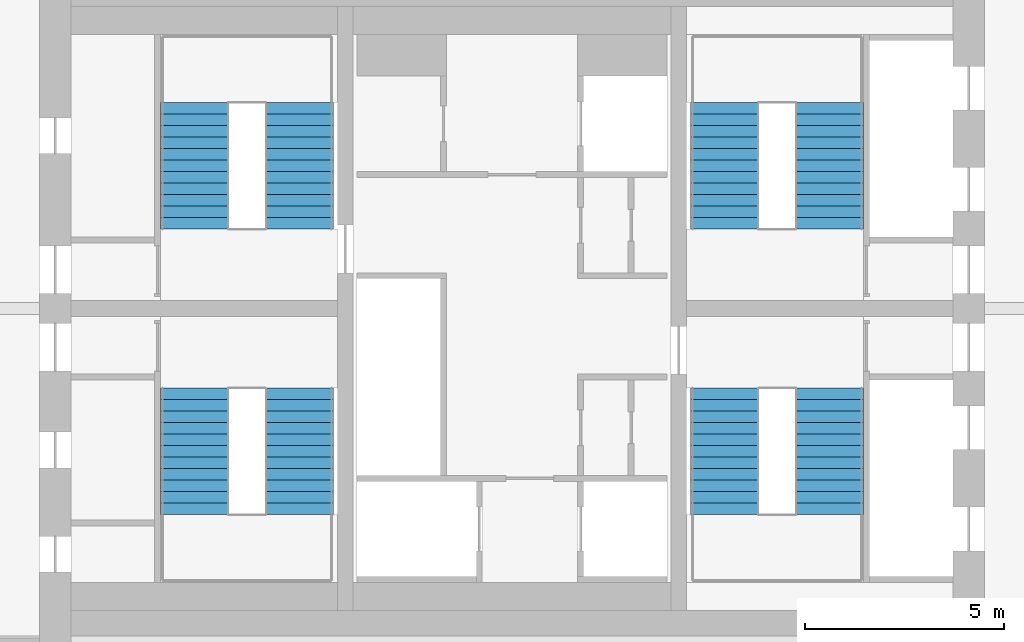
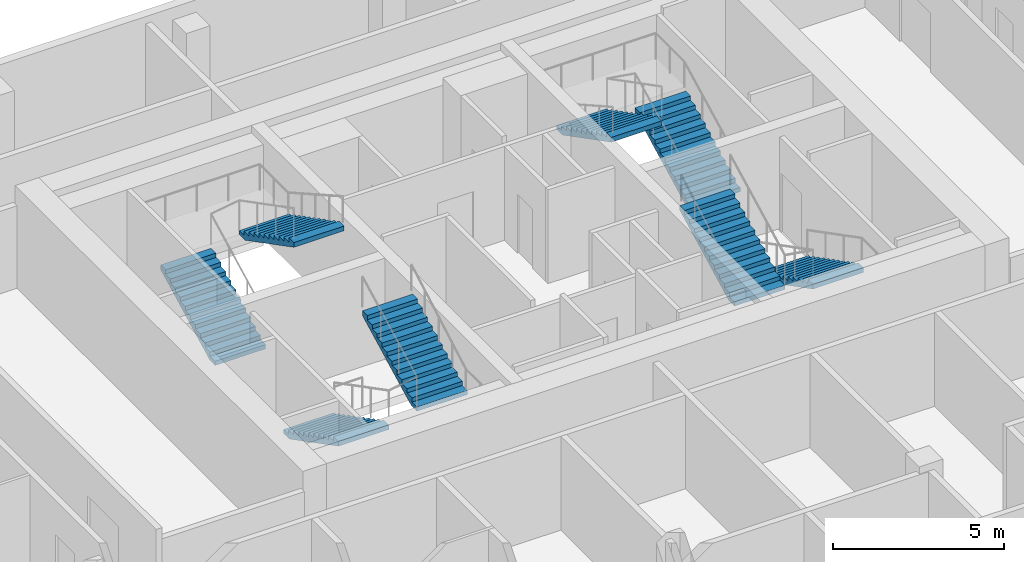
# One storey, part 21 of 22: 8 stair flights, 4 elements without a shape of their own.
"""IFC4 building model written with IfcOpenShell, lengths in metres."""

import ifcopenshell
import ifcopenshell.guid

model = None  # the IFC model being written
_history = None  # IfcOwnerHistory: only IFC2X3 demands one
_inside = {}  # id of a spatial element -> (the spatial element, [elements in it])
_under = {}  # id of a project, library or spatial element -> (it, [spatial elements below it])
_declared = {}  # id of a project -> (the project, [libraries it declares])
_typed = {}  # id of a type object -> (the type object, [elements of that type])
_made_of = {}  # id of a material, layer set ... -> (it, [elements and type objects made of it])


def new_model(schema):
    """Start an empty IFC model of exactly this schema.

    Asked for "IFC4X3", IfcOpenShell would pick the latest addendum, in which some entities
    have other attributes; the version numbers below select the first issue.
    IFC2X3 requires an IfcOwnerHistory on every rooted entity: one is made here for all.
    """
    global model, _history
    if schema == "IFC4X3":
        model = ifcopenshell.file(schema_version=(4, 3, 0, 0))
    else:
        model = ifcopenshell.file(schema=schema)
    _inside.clear()
    _under.clear()
    _declared.clear()
    _typed.clear()
    _made_of.clear()
    _history = None
    if model.schema == "IFC2X3":
        org = make("IfcOrganization", Name="unknown")
        user = make(
            "IfcPersonAndOrganization",
            ThePerson=make("IfcPerson", FamilyName="unknown"),
            TheOrganization=org,
        )
        app = make(
            "IfcApplication",
            ApplicationDeveloper=org,
            Version="unknown",
            ApplicationFullName="unknown",
            ApplicationIdentifier="unknown",
        )
        _history = make(
            "IfcOwnerHistory",
            OwningUser=user,
            OwningApplication=app,
            ChangeAction="ADDED",
            CreationDate=0,
        )
    return model


def make(cls, **values):
    """One entity of the class cls with the attributes given. An attribute that is None is left unset."""
    return model.create_entity(
        cls, **{name: value for name, value in values.items() if value is not None}
    )


def rooted(cls, **values):
    """An entity with a GlobalId (a new one), such as an element, a storey or a relation."""
    return make(cls, GlobalId=ifcopenshell.guid.new(), OwnerHistory=_history, **values)


def si_unit(unit_type, name, prefix=None):
    """IfcSIUnit, for example si_unit("LENGTHUNIT", "METRE", prefix="MILLI")."""
    return make("IfcSIUnit", UnitType=unit_type, Prefix=prefix, Name=name)


def assignment(units):
    """IfcUnitAssignment: the units of a project."""
    return None if units is None else make("IfcUnitAssignment", Units=units)


def point(xyz):
    """IfcCartesianPoint."""
    return None if xyz is None else make("IfcCartesianPoint", Coordinates=xyz)


def direction(xyz):
    """IfcDirection."""
    return None if xyz is None else make("IfcDirection", DirectionRatios=xyz)


def frame(location, z_axis=None, x_axis=None):
    """IfcAxis2Placement3D, a coordinate frame: its origin and axes. An axis left out is left unset."""
    return make(
        "IfcAxis2Placement3D",
        Location=point(location),
        Axis=direction(z_axis),
        RefDirection=direction(x_axis),
    )


def origin():
    """The frame at (0, 0, 0) with its axes left unset."""
    return frame((0.0, 0.0, 0.0))


def place(relative_to, where):
    """IfcLocalPlacement: puts the frame where relative to a parent placement (None: the world)."""
    return make(
        "IfcLocalPlacement", PlacementRelTo=relative_to, RelativePlacement=where
    )


def context(
    kind, dimensions, precision=None, world=None, true_north=None, identifier=None
):
    """IfcGeometricRepresentationContext, for example the 3D "Model" context."""
    return make(
        "IfcGeometricRepresentationContext",
        ContextIdentifier=identifier,
        ContextType=kind,
        CoordinateSpaceDimension=dimensions,
        Precision=precision,
        WorldCoordinateSystem=world,
        TrueNorth=true_north,
    )


def subcontext(parent, identifier, kind, view, scale=None):
    """IfcGeometricRepresentationSubContext, for example "Body" below "Model"."""
    return make(
        "IfcGeometricRepresentationSubContext",
        ContextIdentifier=identifier,
        ContextType=kind,
        ParentContext=parent,
        TargetScale=scale,
        TargetView=view,
    )


def project(units=None, contexts=None):
    """IfcProject with its units and contexts."""
    return rooted(
        "IfcProject",
        Name="project",
        RepresentationContexts=contexts,
        UnitsInContext=assignment(units),
    )


def spatial(cls, under=None, at=None, **own):
    """A site, building, storey or space (cls), placed at a placement, below another one or the project."""
    s = rooted(cls, ObjectPlacement=at, **own)
    if under is not None:
        _under.setdefault(under.id(), (under, []))[1].append(s)
    return s


def polyline(points):
    """IfcPolyline through the points."""
    return make("IfcPolyline", Points=[point(p) for p in points])


def outline(outer, holes=None, kind="AREA"):
    """IfcArbitraryClosedProfileDef: a profile drawn as a closed curve; with holes, ...WithVoids."""
    if holes is None:
        return make("IfcArbitraryClosedProfileDef", ProfileType=kind, OuterCurve=outer)
    return make(
        "IfcArbitraryProfileDefWithVoids",
        ProfileType=kind,
        OuterCurve=outer,
        InnerCurves=holes,
    )


def extrude(swept, where, along, depth):
    """IfcExtrudedAreaSolid: the profile swept, set in the frame where, extruded along a direction by depth."""
    return make(
        "IfcExtrudedAreaSolid",
        SweptArea=swept,
        Position=where,
        ExtrudedDirection=direction(along),
        Depth=depth,
    )


def shape(context_of_items, identifier, shape_type, items):
    """IfcShapeRepresentation: the items that make up one representation, for example the "Body"."""
    return make(
        "IfcShapeRepresentation",
        ContextOfItems=context_of_items,
        RepresentationIdentifier=identifier,
        RepresentationType=shape_type,
        Items=items,
    )


def material(Name=None, Category=None):
    """IfcMaterial."""
    return make("IfcMaterial", Name=Name, Category=Category)


def made_of(thing, what):
    """Note that an element or type object is made of a material, layer set ...; save() writes the relation."""
    if what is not None:
        _made_of.setdefault(what.id(), (what, []))[1].append(thing)
    return thing


def type_object(cls, material=None, **own):
    """A type object (cls), such as IfcWallType, which elements share."""
    return made_of(rooted(cls, **own), material)


def element(
    cls,
    number,
    at=None,
    inside=None,
    cuts=None,
    type_object=None,
    material=None,
    context=None,
    identifier="Body",
    shape_type=None,
    held_by="IfcProductDefinitionShape",
    body=None,
    shapes=None,
    **own,
):
    """One element of the class cls, such as IfcWall. Its Tag is "e" and its number.

    at: its placement. inside: the storey or other place that contains it. cuts: it is an
    opening in that element (IfcRelVoidsElement). A single representation is given by context,
    identifier, shape_type and body (its items); several are given by shapes. held_by: the class
    of the entity that holds the representations. save() writes the other relations.
    """
    e = rooted(cls, Tag="e%d" % number, ObjectPlacement=at, **own)
    if body is not None:
        shapes = [shape(context, identifier, shape_type, body)]
    if shapes is not None:
        e.Representation = make(held_by, Representations=shapes)
    if inside is not None:
        _inside.setdefault(inside.id(), (inside, []))[1].append(e)
    if cuts is not None:
        rooted(
            "IfcRelVoidsElement", RelatingBuildingElement=cuts, RelatedOpeningElement=e
        )
    if type_object is not None:
        _typed.setdefault(type_object.id(), (type_object, []))[1].append(e)
    return made_of(e, material)


def aggregate(whole, parts):
    """IfcRelAggregates: a whole, such as a stair, and the parts it consists of."""
    return rooted("IfcRelAggregates", RelatingObject=whole, RelatedObjects=parts)


def save(model, path):
    """Write the relations noted so far, then the file.

    IfcRelAggregates (storeys below a building ...), IfcRelContainedInSpatialStructure (elements
    in a storey), IfcRelDefinesByType, IfcRelAssociatesMaterial and IfcRelDeclares: one each for
    every whole, place, type object, material and project.
    """
    for whole, parts in _under.values():
        aggregate(whole, parts)
    for where, things in _inside.values():
        rooted(
            "IfcRelContainedInSpatialStructure",
            RelatedElements=things,
            RelatingStructure=where,
        )
    for kind, things in _typed.values():
        rooted("IfcRelDefinesByType", RelatedObjects=things, RelatingType=kind)
    for what, things in _made_of.values():
        rooted("IfcRelAssociatesMaterial", RelatedObjects=things, RelatingMaterial=what)
    for by, libraries in _declared.values():
        rooted("IfcRelDeclares", RelatingContext=by, RelatedDefinitions=libraries)
    model.write(path)


model = new_model("IFC4")

# Units and contexts
model_context = context("Model", 3, precision=1e-05, world=origin(), true_north=direction((0.0, 1.0)))
body_context = subcontext(model_context, "Body", "Model", "MODEL_VIEW")
ifc_project = project(units=[si_unit("LENGTHUNIT", "METRE"), si_unit("AREAUNIT", "SQUARE_METRE"), si_unit("VOLUMEUNIT", "CUBIC_METRE"), si_unit("PLANEANGLEUNIT", "RADIAN"), si_unit("MASSUNIT", "GRAM", prefix="KILO")], contexts=[model_context])

# Site, building, storey
site_placement = place(None, origin())
site = spatial("IfcSite", under=ifc_project, at=site_placement, CompositionType="ELEMENT")
building_placement = place(site_placement, origin())
building = spatial("IfcBuilding", under=site, at=building_placement, Name="Marenta Gate Hotel Tower", CompositionType="ELEMENT")
storey_placement = place(building_placement, frame((0.0, 0.0, 209.300048828125)))
storey = spatial("IfcBuildingStorey", under=building, at=storey_placement, Name="L48", CompositionType="ELEMENT", Elevation=209.300048828125)

# Stair, stair flights
ifc_material_1 = material(Name="Concrete C40", Category="concrete")
stair_type = type_object("IfcStairType", Name="Core exit stair 1700 wide", PredefinedType="HALF_TURN_STAIR", material=ifc_material_1)
stair_1_placement = place(storey_placement, origin())
stair_1 = element("IfcStair", 1, at=stair_1_placement, inside=storey, type_object=stair_type, Name="Exit stair 1", PredefinedType="HALF_TURN_STAIR")
ifc_material_2 = material(Name="Concrete C40", Category="concrete")
stair_flight_type = type_object("IfcStairFlightType", Name="Core stair flight 1700 riser 150.0 going 290", PredefinedType="STRAIGHT", material=ifc_material_2)
stair_flight_1_placement = place(storey_placement, frame((-8.0, 6.39990234375, 0.0), z_axis=(0.0, 0.0, 1.0), x_axis=(0.0, -1.0, 0.0)))
stair_flight_1 = element("IfcStairFlight", 2, at=stair_flight_1_placement, type_object=stair_flight_type, Name="ST1 flight 1", NumberOfRisers=12, NumberOfTreads=11, PredefinedType="STRAIGHT", RiserHeight=0.15, TreadLength=0.29, context=body_context, shape_type="SweptSolid", body=[
    extrude(outline(polyline([(0.0, 0.0), (0.0, 0.14990234375), (0.2900390625, 0.14990234375), (0.2900390625, 0.300048828125), (0.580078125, 0.300048828125), (0.580078125, 0.449951171875), (0.8701171875, 0.449951171875), (0.8701171875, 0.60009765625), (1.159912109375, 0.60009765625), (1.159912109375, 0.75), (1.449951171875, 0.75), (1.449951171875, 0.89990234375), (1.739990234375, 0.89990234375), (1.739990234375, 1.050048828125), (2.030029296875, 1.050048828125), (2.030029296875, 1.199951171875), (2.320068359375, 1.199951171875), (2.320068359375, 1.35009765625), (2.610107421875, 1.35009765625), (2.610107421875, 1.5), (2.89990234375, 1.5), (2.89990234375, 1.64990234375), (3.18994140625, 1.64990234375), (3.18994140625, 1.800048828125), (3.18994140625, 1.481201171875), (0.326171875, 0.0), (0.0, 0.0)])), frame((0.0, 0.85009765625, 0.0), z_axis=(0.0, -1.0, 0.0), x_axis=(1.0, 0.0, 0.0)), (0.0, 0.0, 1.0), 1.699951171875),
])
stair_flight_2_placement = place(storey_placement, frame((-5.35009765625, 3.2099609375, 1.800048828125), z_axis=(0.0, 0.0, 1.0), x_axis=(0.0, 1.0, 0.0)))
stair_flight_2 = element("IfcStairFlight", 3, at=stair_flight_2_placement, type_object=stair_flight_type, Name="ST1 flight 2", NumberOfRisers=12, NumberOfTreads=11, PredefinedType="STRAIGHT", RiserHeight=0.15, TreadLength=0.29, context=body_context, shape_type="SweptSolid", body=[
    extrude(outline(polyline([(0.0, 0.0), (0.0, 0.14990234375), (0.2900390625, 0.14990234375), (0.2900390625, 0.300048828125), (0.580078125, 0.300048828125), (0.580078125, 0.449951171875), (0.8701171875, 0.449951171875), (0.8701171875, 0.60009765625), (1.159912109375, 0.60009765625), (1.159912109375, 0.75), (1.449951171875, 0.75), (1.449951171875, 0.89990234375), (1.739990234375, 0.89990234375), (1.739990234375, 1.050048828125), (2.030029296875, 1.050048828125), (2.030029296875, 1.199951171875), (2.320068359375, 1.199951171875), (2.320068359375, 1.35009765625), (2.610107421875, 1.35009765625), (2.610107421875, 1.5), (2.89990234375, 1.5), (2.89990234375, 1.64990234375), (3.18994140625, 1.64990234375), (3.18994140625, 1.800048828125), (3.18994140625, 1.481201171875), (0.326171875, 0.0), (0.0, 0.0)])), frame((0.0, 0.85009765625, 0.0), z_axis=(0.0, -1.0, 0.0), x_axis=(1.0, 0.0, 0.0)), (0.0, 0.0, 1.0), 1.699951171875),
])
aggregate(stair_1, [stair_flight_1, stair_flight_2])

stair_2_placement = place(storey_placement, origin())
stair_2 = element("IfcStair", 4, at=stair_2_placement, inside=storey, type_object=stair_type, Name="Exit stair 2", PredefinedType="HALF_TURN_STAIR")
stair_flight_3_placement = place(storey_placement, frame((-8.0, 10.39990234375, 0.0), z_axis=(0.0, 0.0, 1.0), x_axis=(0.0, 1.0, 0.0)))
stair_flight_3 = element("IfcStairFlight", 5, at=stair_flight_3_placement, type_object=stair_flight_type, Name="ST2 flight 1", NumberOfRisers=12, NumberOfTreads=11, PredefinedType="STRAIGHT", RiserHeight=0.15, TreadLength=0.29, context=body_context, shape_type="SweptSolid", body=[
    extrude(outline(polyline([(0.0, 0.0), (0.0, 0.14990234375), (0.2900390625, 0.14990234375), (0.2900390625, 0.300048828125), (0.580078125, 0.300048828125), (0.580078125, 0.449951171875), (0.8701171875, 0.449951171875), (0.8701171875, 0.60009765625), (1.159912109375, 0.60009765625), (1.159912109375, 0.75), (1.449951171875, 0.75), (1.449951171875, 0.89990234375), (1.739990234375, 0.89990234375), (1.739990234375, 1.050048828125), (2.030029296875, 1.050048828125), (2.030029296875, 1.199951171875), (2.320068359375, 1.199951171875), (2.320068359375, 1.35009765625), (2.610107421875, 1.35009765625), (2.610107421875, 1.5), (2.89990234375, 1.5), (2.89990234375, 1.64990234375), (3.18994140625, 1.64990234375), (3.18994140625, 1.800048828125), (3.18994140625, 1.481201171875), (0.326171875, 0.0), (0.0, 0.0)])), frame((0.0, 0.85009765625, 0.0), z_axis=(0.0, -1.0, 0.0), x_axis=(1.0, 0.0, 0.0)), (0.0, 0.0, 1.0), 1.699951171875),
])
stair_flight_4_placement = place(storey_placement, frame((-5.35009765625, 13.590087890625, 1.800048828125), z_axis=(0.0, 0.0, 1.0), x_axis=(0.0, -1.0, 0.0)))
stair_flight_4 = element("IfcStairFlight", 6, at=stair_flight_4_placement, type_object=stair_flight_type, Name="ST2 flight 2", NumberOfRisers=12, NumberOfTreads=11, PredefinedType="STRAIGHT", RiserHeight=0.15, TreadLength=0.29, context=body_context, shape_type="SweptSolid", body=[
    extrude(outline(polyline([(0.0, 0.0), (0.0, 0.14990234375), (0.2900390625, 0.14990234375), (0.2900390625, 0.300048828125), (0.580078125, 0.300048828125), (0.580078125, 0.449951171875), (0.8701171875, 0.449951171875), (0.8701171875, 0.60009765625), (1.159912109375, 0.60009765625), (1.159912109375, 0.75), (1.449951171875, 0.75), (1.449951171875, 0.89990234375), (1.739990234375, 0.89990234375), (1.739990234375, 1.050048828125), (2.030029296875, 1.050048828125), (2.030029296875, 1.199951171875), (2.320068359375, 1.199951171875), (2.320068359375, 1.35009765625), (2.610107421875, 1.35009765625), (2.610107421875, 1.5), (2.89990234375, 1.5), (2.89990234375, 1.64990234375), (3.18994140625, 1.64990234375), (3.18994140625, 1.800048828125), (3.18994140625, 1.481201171875), (0.326171875, 0.0), (0.0, 0.0)])), frame((0.0, 0.85009765625, 0.0), z_axis=(0.0, -1.0, 0.0), x_axis=(1.0, 0.0, 0.0)), (0.0, 0.0, 1.0), 1.699951171875),
])
aggregate(stair_2, [stair_flight_3, stair_flight_4])

stair_3_placement = place(storey_placement, origin())
stair_3 = element("IfcStair", 7, at=stair_3_placement, inside=storey, type_object=stair_type, Name="Exit stair 3", PredefinedType="HALF_TURN_STAIR")
stair_flight_5_placement = place(storey_placement, frame((8.0, 6.39990234375, 0.0), z_axis=(0.0, 0.0, 1.0), x_axis=(0.0, -1.0, 0.0)))
stair_flight_5 = element("IfcStairFlight", 8, at=stair_flight_5_placement, type_object=stair_flight_type, Name="ST3 flight 1", NumberOfRisers=12, NumberOfTreads=11, PredefinedType="STRAIGHT", RiserHeight=0.15, TreadLength=0.29, context=body_context, shape_type="SweptSolid", body=[
    extrude(outline(polyline([(0.0, 0.0), (0.0, 0.14990234375), (0.2900390625, 0.14990234375), (0.2900390625, 0.300048828125), (0.580078125, 0.300048828125), (0.580078125, 0.449951171875), (0.8701171875, 0.449951171875), (0.8701171875, 0.60009765625), (1.159912109375, 0.60009765625), (1.159912109375, 0.75), (1.449951171875, 0.75), (1.449951171875, 0.89990234375), (1.739990234375, 0.89990234375), (1.739990234375, 1.050048828125), (2.030029296875, 1.050048828125), (2.030029296875, 1.199951171875), (2.320068359375, 1.199951171875), (2.320068359375, 1.35009765625), (2.610107421875, 1.35009765625), (2.610107421875, 1.5), (2.89990234375, 1.5), (2.89990234375, 1.64990234375), (3.18994140625, 1.64990234375), (3.18994140625, 1.800048828125), (3.18994140625, 1.481201171875), (0.326171875, 0.0), (0.0, 0.0)])), frame((0.0, 0.85009765625, 0.0), z_axis=(0.0, -1.0, 0.0), x_axis=(1.0, 0.0, 0.0)), (0.0, 0.0, 1.0), 1.699951171875),
])
stair_flight_6_placement = place(storey_placement, frame((5.35009765625, 3.2099609375, 1.800048828125), z_axis=(0.0, 0.0, 1.0), x_axis=(0.0, 1.0, 0.0)))
stair_flight_6 = element("IfcStairFlight", 9, at=stair_flight_6_placement, type_object=stair_flight_type, Name="ST3 flight 2", NumberOfRisers=12, NumberOfTreads=11, PredefinedType="STRAIGHT", RiserHeight=0.15, TreadLength=0.29, context=body_context, shape_type="SweptSolid", body=[
    extrude(outline(polyline([(0.0, 0.0), (0.0, 0.14990234375), (0.2900390625, 0.14990234375), (0.2900390625, 0.300048828125), (0.580078125, 0.300048828125), (0.580078125, 0.449951171875), (0.8701171875, 0.449951171875), (0.8701171875, 0.60009765625), (1.159912109375, 0.60009765625), (1.159912109375, 0.75), (1.449951171875, 0.75), (1.449951171875, 0.89990234375), (1.739990234375, 0.89990234375), (1.739990234375, 1.050048828125), (2.030029296875, 1.050048828125), (2.030029296875, 1.199951171875), (2.320068359375, 1.199951171875), (2.320068359375, 1.35009765625), (2.610107421875, 1.35009765625), (2.610107421875, 1.5), (2.89990234375, 1.5), (2.89990234375, 1.64990234375), (3.18994140625, 1.64990234375), (3.18994140625, 1.800048828125), (3.18994140625, 1.481201171875), (0.326171875, 0.0), (0.0, 0.0)])), frame((0.0, 0.85009765625, 0.0), z_axis=(0.0, -1.0, 0.0), x_axis=(1.0, 0.0, 0.0)), (0.0, 0.0, 1.0), 1.699951171875),
])
aggregate(stair_3, [stair_flight_5, stair_flight_6])

stair_4_placement = place(storey_placement, origin())
stair_4 = element("IfcStair", 10, at=stair_4_placement, inside=storey, type_object=stair_type, Name="Exit stair 4", PredefinedType="HALF_TURN_STAIR")
stair_flight_7_placement = place(storey_placement, frame((8.0, 10.39990234375, 0.0), z_axis=(0.0, 0.0, 1.0), x_axis=(0.0, 1.0, 0.0)))
stair_flight_7 = element("IfcStairFlight", 11, at=stair_flight_7_placement, type_object=stair_flight_type, Name="ST4 flight 1", NumberOfRisers=12, NumberOfTreads=11, PredefinedType="STRAIGHT", RiserHeight=0.15, TreadLength=0.29, context=body_context, shape_type="SweptSolid", body=[
    extrude(outline(polyline([(0.0, 0.0), (0.0, 0.14990234375), (0.2900390625, 0.14990234375), (0.2900390625, 0.300048828125), (0.580078125, 0.300048828125), (0.580078125, 0.449951171875), (0.8701171875, 0.449951171875), (0.8701171875, 0.60009765625), (1.159912109375, 0.60009765625), (1.159912109375, 0.75), (1.449951171875, 0.75), (1.449951171875, 0.89990234375), (1.739990234375, 0.89990234375), (1.739990234375, 1.050048828125), (2.030029296875, 1.050048828125), (2.030029296875, 1.199951171875), (2.320068359375, 1.199951171875), (2.320068359375, 1.35009765625), (2.610107421875, 1.35009765625), (2.610107421875, 1.5), (2.89990234375, 1.5), (2.89990234375, 1.64990234375), (3.18994140625, 1.64990234375), (3.18994140625, 1.800048828125), (3.18994140625, 1.481201171875), (0.326171875, 0.0), (0.0, 0.0)])), frame((0.0, 0.85009765625, 0.0), z_axis=(0.0, -1.0, 0.0), x_axis=(1.0, 0.0, 0.0)), (0.0, 0.0, 1.0), 1.699951171875),
])
stair_flight_8_placement = place(storey_placement, frame((5.35009765625, 13.590087890625, 1.800048828125), z_axis=(0.0, 0.0, 1.0), x_axis=(0.0, -1.0, 0.0)))
stair_flight_8 = element("IfcStairFlight", 12, at=stair_flight_8_placement, type_object=stair_flight_type, Name="ST4 flight 2", NumberOfRisers=12, NumberOfTreads=11, PredefinedType="STRAIGHT", RiserHeight=0.15, TreadLength=0.29, context=body_context, shape_type="SweptSolid", body=[
    extrude(outline(polyline([(0.0, 0.0), (0.0, 0.14990234375), (0.2900390625, 0.14990234375), (0.2900390625, 0.300048828125), (0.580078125, 0.300048828125), (0.580078125, 0.449951171875), (0.8701171875, 0.449951171875), (0.8701171875, 0.60009765625), (1.159912109375, 0.60009765625), (1.159912109375, 0.75), (1.449951171875, 0.75), (1.449951171875, 0.89990234375), (1.739990234375, 0.89990234375), (1.739990234375, 1.050048828125), (2.030029296875, 1.050048828125), (2.030029296875, 1.199951171875), (2.320068359375, 1.199951171875), (2.320068359375, 1.35009765625), (2.610107421875, 1.35009765625), (2.610107421875, 1.5), (2.89990234375, 1.5), (2.89990234375, 1.64990234375), (3.18994140625, 1.64990234375), (3.18994140625, 1.800048828125), (3.18994140625, 1.481201171875), (0.326171875, 0.0), (0.0, 0.0)])), frame((0.0, 0.85009765625, 0.0), z_axis=(0.0, -1.0, 0.0), x_axis=(1.0, 0.0, 0.0)), (0.0, 0.0, 1.0), 1.699951171875),
])
aggregate(stair_4, [stair_flight_7, stair_flight_8])

save(model, "model.ifc")
